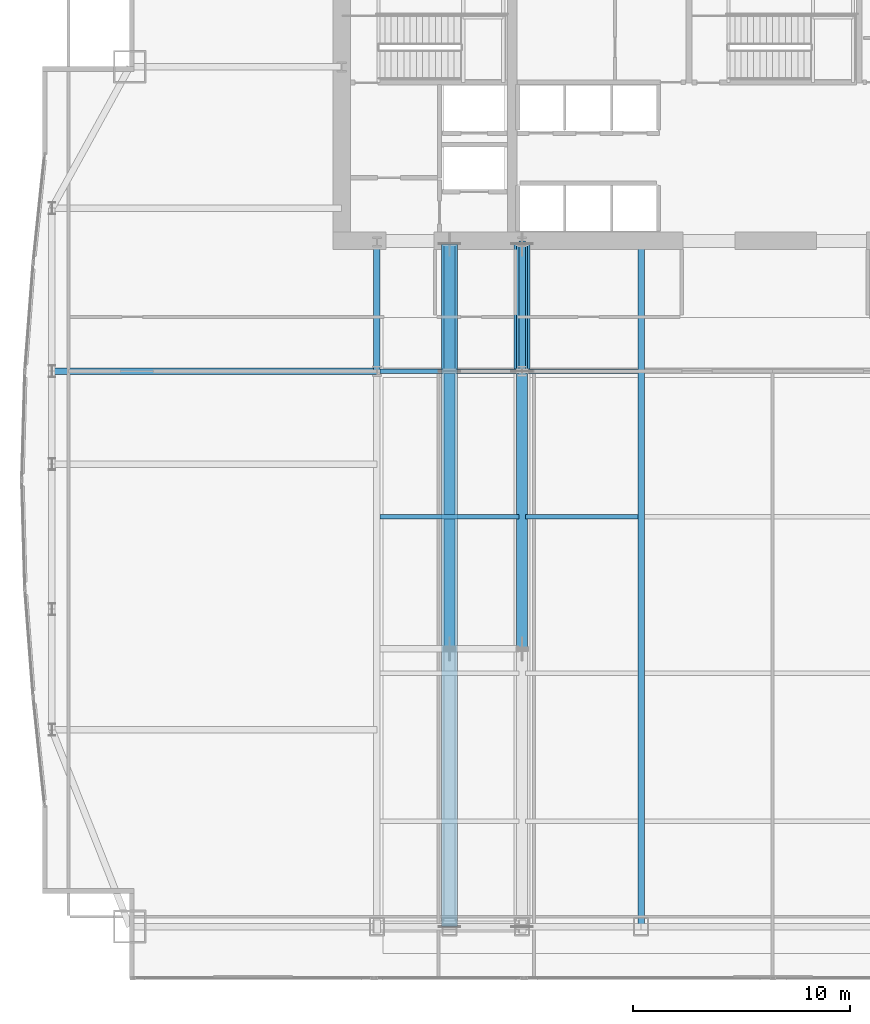
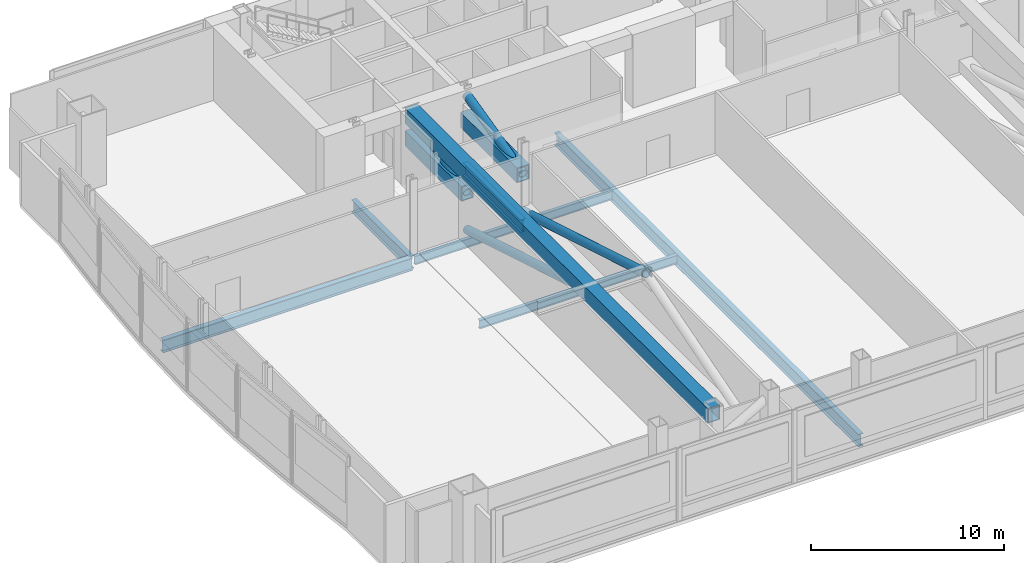
# One storey, part 12 of 32: 8 beams, 7 members.
"""IFC4 building model written with IfcOpenShell, lengths in metres."""

from ifc_helpers import new_model, si_unit, direction, frame, origin, origin_2d, place, context, subcontext, project, spatial, hollow_rectangle, hollow_circle, i_section, extrude, material, material_profile, profile_set, type_object, element, save


model = new_model("IFC4")

# Units and contexts
model_context = context("Model", 3, precision=1e-05, world=origin(), true_north=direction((0.0, 1.0)))
body_context = subcontext(model_context, "Body", "Model", "MODEL_VIEW")
ifc_project = project(units=[si_unit("LENGTHUNIT", "METRE"), si_unit("AREAUNIT", "SQUARE_METRE"), si_unit("VOLUMEUNIT", "CUBIC_METRE"), si_unit("PLANEANGLEUNIT", "RADIAN"), si_unit("MASSUNIT", "GRAM", prefix="KILO")], contexts=[model_context])

# Site, building, storey
site_placement = place(None, origin())
site = spatial("IfcSite", under=ifc_project, at=site_placement, CompositionType="ELEMENT")
building_placement = place(site_placement, origin())
building = spatial("IfcBuilding", under=site, at=building_placement, Name="Khoronbel Lancet Exchange", CompositionType="ELEMENT")
storey_placement = place(building_placement, frame((0.0, 0.0, 85.800048828125)))
storey = spatial("IfcBuildingStorey", under=building, at=storey_placement, Name="L20", CompositionType="ELEMENT", Elevation=85.800048828125)

# Beams
ifc_material_1 = material(Name="Steel S355", Category="steel")
ifc_material_profile_1 = material_profile(ifc_material_1, i_section(OverallWidth=0.300048828125, OverallDepth=0.800048828125, WebThickness=0.017578125, FlangeThickness=0.032958984375, at=origin_2d()), Name="HEB 800")
ifc_profile_set_1 = profile_set([ifc_material_profile_1], Name="Steel S355")
beam_type_1 = type_object("IfcBeamType", Name="BM-BG2", PredefinedType="BEAM", material=ifc_profile_set_1)
for number, where, z_axis, x_axis, name in (
    (1, (18.22509765625, 35.699951171875, -0.6201171875), (0.0, 1.0, 0.0), (-1.0, 0.0, 0.0), "Level L20 spine tie girder GN1"),
    (2, (24.89990234375, 35.699951171875, -0.6201171875), (0.0, 1.0, 0.0), (-1.0, 0.0, 0.0), "Level L20 spine tie girder GN2"),
):
    element("IfcBeam", number, at=place(storey_placement, frame(where, z_axis=z_axis, x_axis=x_axis)), inside=storey, type_object=beam_type_1, Name=name, PredefinedType="BEAM", context=body_context, shape_type="SweptSolid", body=[
        extrude(i_section(OverallWidth=0.300048828125, OverallDepth=0.800048828125, WebThickness=0.017578125, FlangeThickness=0.032958984375, at=origin_2d()), origin(), (0.0, 0.0, 1.0), 6.0),
    ])
beam_1_placement = place(storey_placement, frame((30.375, 10.14990234375, -0.6201171875), z_axis=(0.0, 1.0, 0.0), x_axis=(-1.0, 0.0, 0.0)))
element("IfcBeam", 3, at=beam_1_placement, inside=storey, type_object=beam_type_1, Name="Level L20 primary floor girder G3", PredefinedType="BEAM", context=body_context, shape_type="SweptSolid", body=[
    extrude(i_section(OverallWidth=0.300048828125, OverallDepth=0.800048828125, WebThickness=0.017578125, FlangeThickness=0.032958984375, at=origin_2d()), origin(), (0.0, 0.0, 1.0), 31.550048828125),
])
beam_2_placement = place(storey_placement, frame((3.27001953125, 35.699951171875, -0.6201171875), z_axis=(1.0, 0.0, 0.0), x_axis=(0.0, 1.0, 0.0)))
element("IfcBeam", 4, at=beam_2_placement, inside=storey, type_object=beam_type_1, Name="Level L20 west lens tie girder LG4W", PredefinedType="BEAM", context=body_context, shape_type="SweptSolid", body=[
    extrude(i_section(OverallWidth=0.300048828125, OverallDepth=0.800048828125, WebThickness=0.017578125, FlangeThickness=0.032958984375, at=origin_2d()), origin(), (0.0, 0.0, 1.0), 14.955078125),
])
ifc_material_profile_2 = material_profile(ifc_material_1, i_section(OverallWidth=0.2099609375, OverallDepth=0.550048828125, WebThickness=0.010986328125, FlangeThickness=0.01708984375, at=origin_2d()), Name="IPE 550")
ifc_profile_set_2 = profile_set([ifc_material_profile_2], Name="Steel S355")
beam_type_2 = type_object("IfcBeamType", Name="BM-BJ2", PredefinedType="JOIST", material=ifc_profile_set_2)
beam_3_placement = place(storey_placement, frame((18.375, 29.0, -0.4951171875), z_axis=(1.0, 0.0, 0.0), x_axis=(0.0, 1.0, 0.0)))
element("IfcBeam", 5, at=beam_3_placement, inside=storey, type_object=beam_type_2, Name="Level L20 secondary composite joist J11", PredefinedType="JOIST", context=body_context, shape_type="SweptSolid", body=[
    extrude(i_section(OverallWidth=0.2099609375, OverallDepth=0.550048828125, WebThickness=0.010986328125, FlangeThickness=0.01708984375, at=origin_2d()), origin(), (0.0, 0.0, 1.0), 6.375),
])
beam_4_placement = place(storey_placement, frame((25.050048828125, 29.0, -0.4951171875), z_axis=(1.0, 0.0, 0.0), x_axis=(0.0, 1.0, 0.0)))
element("IfcBeam", 6, at=beam_4_placement, inside=storey, type_object=beam_type_2, Name="Level L20 secondary composite joist J12", PredefinedType="JOIST", context=body_context, shape_type="SweptSolid", body=[
    extrude(i_section(OverallWidth=0.2099609375, OverallDepth=0.550048828125, WebThickness=0.010986328125, FlangeThickness=0.01708984375, at=origin_2d()), origin(), (0.0, 0.0, 1.0), 5.175048828125),
])
beam_5_placement = place(storey_placement, frame((18.375, 35.699951171875, -0.4951171875), z_axis=(1.0, 0.0, 0.0), x_axis=(0.0, 1.0, 0.0)))
element("IfcBeam", 7, at=beam_5_placement, inside=storey, type_object=beam_type_2, Name="Level L20 secondary composite joist J16", PredefinedType="JOIST", context=body_context, shape_type="SweptSolid", body=[
    extrude(i_section(OverallWidth=0.2099609375, OverallDepth=0.550048828125, WebThickness=0.010986328125, FlangeThickness=0.01708984375, at=origin_2d()), origin(), (0.0, 0.0, 1.0), 6.375),
])
beam_6_placement = place(storey_placement, frame((25.050048828125, 35.699951171875, -0.4951171875), z_axis=(1.0, 0.0, 0.0), x_axis=(0.0, 1.0, 0.0)))
element("IfcBeam", 8, at=beam_6_placement, inside=storey, type_object=beam_type_2, Name="Level L20 secondary composite joist J17", PredefinedType="JOIST", context=body_context, shape_type="SweptSolid", body=[
    extrude(i_section(OverallWidth=0.2099609375, OverallDepth=0.550048828125, WebThickness=0.010986328125, FlangeThickness=0.01708984375, at=origin_2d()), origin(), (0.0, 0.0, 1.0), 5.175048828125),
])

# Members
ifc_material_2 = material(Name="Steel S460", Category="steel")
ifc_material_profile_3 = material_profile(ifc_material_2, hollow_circle(Radius=0.25390625, WallThickness=0.02490234375, at=origin_2d()), Name="CHS 508x25")
ifc_profile_set_3 = profile_set([ifc_material_profile_3], Name="Steel S460")
member_type_1 = type_object("IfcMemberType", Name="MEM-OBR2", PredefinedType="BRACE", material=ifc_profile_set_3)
member_1_placement = place(storey_placement, frame((21.5625, 22.925048828125, 4.119873046875), z_axis=(0.0, 0.958086932884, -0.286477623971), x_axis=(-1.0, 0.0, 0.0)))
element("IfcMember", 9, at=member_1_placement, inside=storey, type_object=member_type_1, Name="Outrigger truss diagonal L20-1-2", PredefinedType="BRACE", context=body_context, shape_type="SweptSolid", body=[
    extrude(hollow_circle(Radius=0.25390625, WallThickness=0.02490234375, at=origin_2d()), origin(), (0.0, 0.0, 1.0), 13.333740234375),
])
member_2_placement = place(storey_placement, frame((21.5625, 35.699951171875, 2.679931640625), z_axis=(0.0, 0.971018062108, 0.239006115112), x_axis=(-1.0, 0.0, 0.0)))
element("IfcMember", 10, at=member_2_placement, inside=storey, type_object=member_type_1, Name="Outrigger truss diagonal L20-1-3", PredefinedType="BRACE", context=body_context, shape_type="SweptSolid", body=[
    extrude(hollow_circle(Radius=0.25390625, WallThickness=0.02490234375, at=origin_2d()), origin(), (0.0, 0.0, 1.0), 6.024658203125),
])
member_3_placement = place(storey_placement, frame((24.89990234375, 22.925048828125, 4.119873046875), z_axis=(0.0, 0.958086932884, -0.286477623971), x_axis=(-1.0, 0.0, 0.0)))
element("IfcMember", 11, at=member_3_placement, inside=storey, type_object=member_type_1, Name="Outrigger truss diagonal L20-2-2", PredefinedType="BRACE", context=body_context, shape_type="SweptSolid", body=[
    extrude(hollow_circle(Radius=0.25390625, WallThickness=0.02490234375, at=origin_2d()), origin(), (0.0, 0.0, 1.0), 13.333740234375),
])
member_4_placement = place(storey_placement, frame((24.89990234375, 35.699951171875, 2.679931640625), z_axis=(0.0, 0.971018062108, 0.239006115112), x_axis=(-1.0, 0.0, 0.0)))
element("IfcMember", 12, at=member_4_placement, inside=storey, type_object=member_type_1, Name="Outrigger truss diagonal L20-2-3", PredefinedType="BRACE", context=body_context, shape_type="SweptSolid", body=[
    extrude(hollow_circle(Radius=0.25390625, WallThickness=0.02490234375, at=origin_2d()), origin(), (0.0, 0.0, 1.0), 6.024658203125),
])
ifc_material_profile_4 = material_profile(ifc_material_2, hollow_rectangle(XDim=0.75, YDim=0.949951171875, WallThickness=0.054931640625, at=origin_2d()), Name="BOX 950x750x55")
ifc_profile_set_4 = profile_set([ifc_material_profile_4], Name="Steel S460")
member_type_2 = type_object("IfcMemberType", Name="MEM-OCH2", PredefinedType="CHORD", material=ifc_profile_set_4)
member_5_placement = place(storey_placement, frame((21.5625, 35.699951171875, 2.679931640625), z_axis=(0.0, 1.0, 0.0), x_axis=(-1.0, 0.0, 0.0)))
element("IfcMember", 13, at=member_5_placement, inside=storey, type_object=member_type_2, Name="Outrigger corridor portal tie chord L20-1-COR", PredefinedType="CHORD", context=body_context, shape_type="SweptSolid", body=[
    extrude(hollow_rectangle(XDim=0.75, YDim=0.949951171875, WallThickness=0.054931640625, at=origin_2d()), origin(), (0.0, 0.0, 1.0), 5.85009765625),
])
member_6_placement = place(storey_placement, frame((21.5625, 10.14990234375, 4.119873046875), z_axis=(0.0, 1.0, 0.0), x_axis=(-1.0, 0.0, 0.0)))
element("IfcMember", 14, at=member_6_placement, inside=storey, type_object=member_type_2, Name="Outrigger truss top chord L20-1-TOP", PredefinedType="CHORD", context=body_context, shape_type="SweptSolid", body=[
    extrude(hollow_rectangle(XDim=0.75, YDim=0.949951171875, WallThickness=0.054931640625, at=origin_2d()), origin(), (0.0, 0.0, 1.0), 31.400146484375),
])
member_7_placement = place(storey_placement, frame((24.89990234375, 35.699951171875, 2.679931640625), z_axis=(0.0, 1.0, 0.0), x_axis=(-1.0, 0.0, 0.0)))
element("IfcMember", 15, at=member_7_placement, inside=storey, type_object=member_type_2, Name="Outrigger corridor portal tie chord L20-2-COR", PredefinedType="CHORD", context=body_context, shape_type="SweptSolid", body=[
    extrude(hollow_rectangle(XDim=0.75, YDim=0.949951171875, WallThickness=0.054931640625, at=origin_2d()), origin(), (0.0, 0.0, 1.0), 5.85009765625),
])

save(model, "model.ifc")
